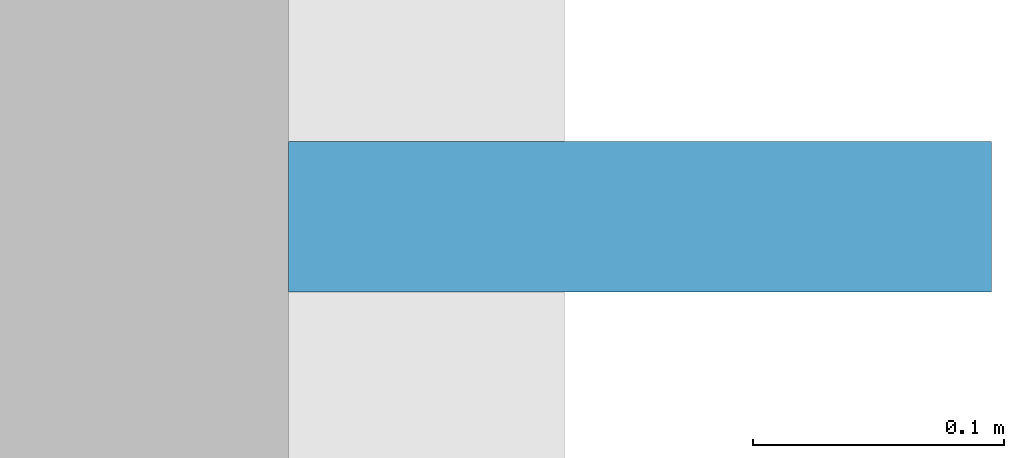
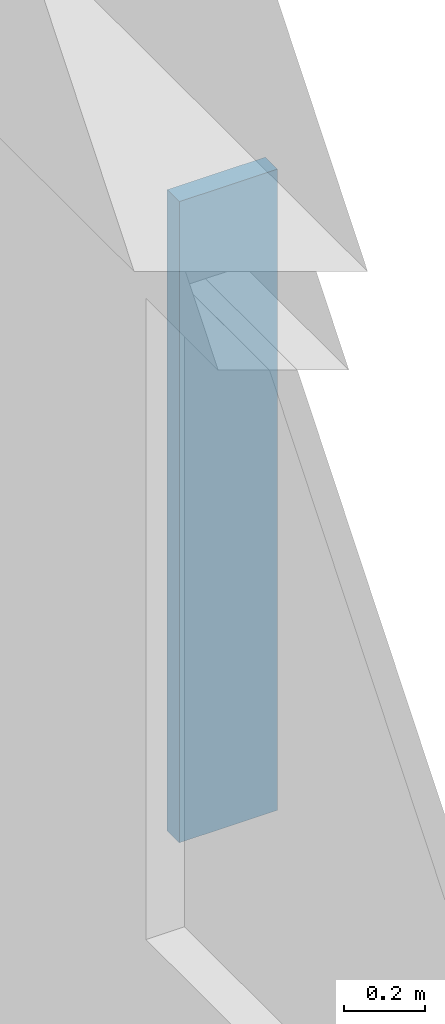
# One storey, part 8 of 13: 1 plate.
"""IFC4 building model written with IfcOpenShell, lengths in metres."""

from ifc_helpers import new_model, si_unit, direction, frame, origin, origin_2d, place, context, subcontext, project, spatial, rectangle, extrude, material, type_object, element, save


model = new_model("IFC4")

# Units and contexts
model_context = context("Model", 3, precision=1e-05, world=origin(), true_north=direction((0.0, 1.0)))
body_context = subcontext(model_context, "Body", "Model", "MODEL_VIEW")
ifc_project = project(units=[si_unit("LENGTHUNIT", "METRE"), si_unit("AREAUNIT", "SQUARE_METRE"), si_unit("VOLUMEUNIT", "CUBIC_METRE"), si_unit("PLANEANGLEUNIT", "RADIAN"), si_unit("MASSUNIT", "GRAM", prefix="KILO")], contexts=[model_context])

# Site, building, storey
site_placement = place(None, origin())
site = spatial("IfcSite", under=ifc_project, at=site_placement, CompositionType="ELEMENT")
building_placement = place(site_placement, origin())
building = spatial("IfcBuilding", under=site, at=building_placement, Name="Nhamokura Convention Tower", CompositionType="ELEMENT")
storey_placement = place(building_placement, frame((0.0, 0.0, 213.85009765625)))
storey = spatial("IfcBuildingStorey", under=building, at=storey_placement, Name="L52", CompositionType="ELEMENT", Elevation=213.85009765625)

# Plate
ifc_material = material(Name="Anodised bronze aluminium AA6063-T6", Category="aluminium")
plate_type = type_object("IfcPlateType", Name="BronzeSolarFin_2", PredefinedType="USERDEFINED", material=ifc_material)
plate_placement = place(storey_placement, frame((56.530029296875, 30.533203125, 0.849853515625), z_axis=(0.0, 0.0, 1.0), x_axis=(1.0, 0.0, 0.0)))
element("IfcPlate", 1, at=plate_placement, inside=storey, type_object=plate_type, Name="L52 Bronze Solar Shading Fin EAST 2", ObjectType="SOLAR_FIN", PredefinedType="USERDEFINED", context=body_context, shape_type="SweptSolid", body=[
    extrude(rectangle(XDim=0.280029296875, YDim=0.06005859375, at=origin_2d()), origin(), (0.0, 0.0, 1.0), 1.93505859375),
])

save(model, "model.ifc")
